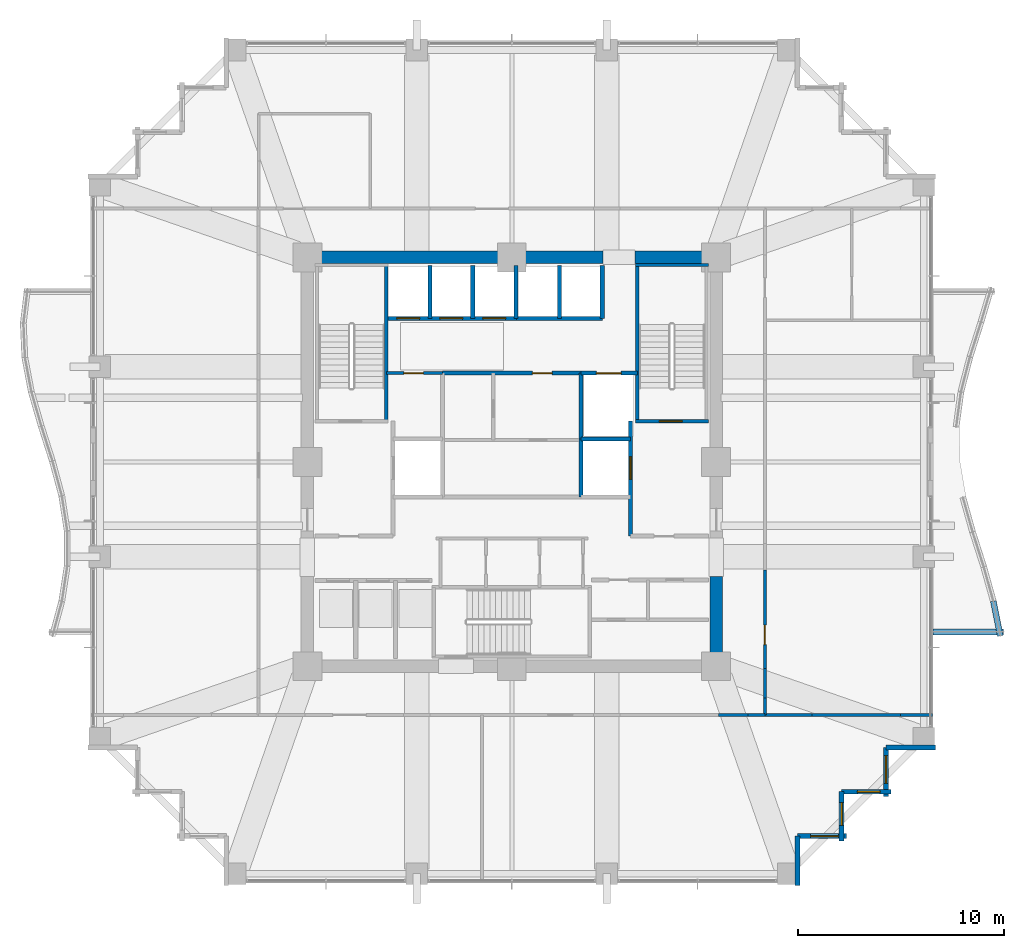
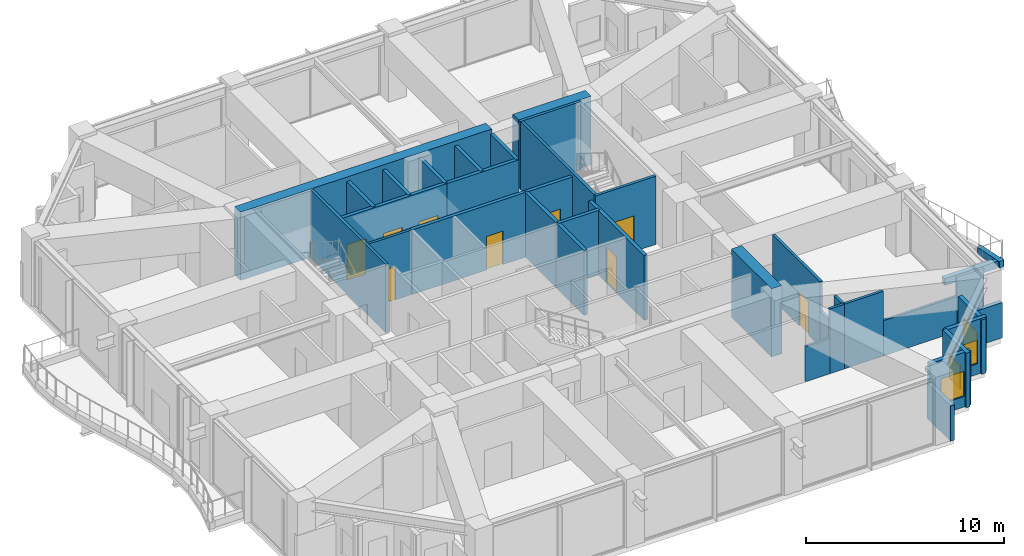
# One storey, part 35 of 40: 37 walls, 9 doors, 4 windows, 13 openings.
"""IFC4 building model written with IfcOpenShell, lengths in metres."""

from ifc_helpers import new_model, si_unit, direction, frame, frame_2d, origin, place, context, subcontext, project, spatial, rectangle, extrude, material, layer, layer_set, type_object, element, fill, save


model = new_model("IFC4")

# Units and contexts
model_context = context("Model", 3, precision=1e-05, world=origin(), true_north=direction((0.0, 1.0)))
body_context = subcontext(model_context, "Body", "Model", "MODEL_VIEW")
ifc_project = project(units=[si_unit("LENGTHUNIT", "METRE"), si_unit("AREAUNIT", "SQUARE_METRE"), si_unit("VOLUMEUNIT", "CUBIC_METRE"), si_unit("PLANEANGLEUNIT", "RADIAN"), si_unit("MASSUNIT", "GRAM", prefix="KILO")], contexts=[model_context])

# Site, building, storey
site_placement = place(None, origin())
site = spatial("IfcSite", under=ifc_project, at=site_placement, CompositionType="ELEMENT")
building_placement = place(site_placement, origin())
building = spatial("IfcBuilding", under=site, at=building_placement, Name="Kolvaren Belvedere", CompositionType="ELEMENT")
storey_placement = place(building_placement, frame((0.0, 0.0, 68.0)))
storey = spatial("IfcBuildingStorey", under=building, at=storey_placement, Name="L19", CompositionType="ELEMENT", Elevation=68.0)

# Walls
ifc_material_1 = material(Name="Concrete C60/75", Category="concrete")
ifc_layer_1 = layer(ifc_material_1, 0.60009765625)
ifc_layer_set_1 = layer_set([ifc_layer_1], Name="Concrete C60/75")
wall_type_1 = type_object("IfcWallType", Name="CW-CORE-600", PredefinedType="SHEAR", material=ifc_layer_set_1)
wall_1_placement = place(storey_placement, frame((-10.199951171875, 9.89990234375, 0.0), z_axis=(0.0, 0.0, 1.0), x_axis=(1.0, 0.0, 0.0)))
element("IfcWall", 1, at=wall_1_placement, inside=storey, type_object=wall_type_1, Name="L19 North Core Shear Wall 1", PredefinedType="SHEAR", context=body_context, shape_type="SweptSolid", body=[
    extrude(rectangle(XDim=14.619873046875, YDim=0.60009765625, at=frame_2d((7.31005859375, 0.0))), origin(), (0.0, 0.0, 1.0), 4.199951171875),
])
wall_2_placement = place(storey_placement, frame((5.97998046875, 9.89990234375, 0.0), z_axis=(0.0, 0.0, 1.0), x_axis=(1.0, 0.0, 0.0)))
element("IfcWall", 2, at=wall_2_placement, inside=storey, type_object=wall_type_1, Name="L19 North Core Shear Wall 2", PredefinedType="SHEAR", context=body_context, shape_type="SweptSolid", body=[
    extrude(rectangle(XDim=4.219970703125, YDim=0.60009765625, at=frame_2d((2.10986328125, 0.0))), origin(), (0.0, 0.0, 1.0), 4.199951171875),
])
wall_3_placement = place(storey_placement, frame((9.89990234375, -9.60009765625, 0.0), z_axis=(0.0, 0.0, 1.0), x_axis=(0.0, 1.0, 0.0)))
element("IfcWall", 3, at=wall_3_placement, inside=storey, type_object=wall_type_1, Name="L19 East Core Shear Wall 1", PredefinedType="SHEAR", context=body_context, shape_type="SweptSolid", body=[
    extrude(rectangle(XDim=4.050048828125, YDim=0.60009765625, at=frame_2d((2.02490234375, 0.0))), origin(), (0.0, 0.0, 1.0), 4.199951171875),
])
ifc_material_2 = material(Name="Concrete C50/60", Category="concrete")
ifc_layer_2 = layer(ifc_material_2, 0.159912109375)
ifc_layer_set_2 = layer_set([ifc_layer_2], Name="Concrete C50/60")
wall_type_2 = type_object("IfcWallType", Name="CW-STAIR-160", PredefinedType="SHEAR", material=ifc_layer_set_2)
wall_4_placement = place(storey_placement, frame((-6.080078125, 1.969970703125, 0.0), z_axis=(0.0, 0.0, 1.0), x_axis=(0.0, 1.0, 0.0)))
element("IfcWall", 4, at=wall_4_placement, inside=storey, type_object=wall_type_2, Name="L19 Stair ST-1 East Shear Wall", PredefinedType="SHEAR", context=body_context, shape_type="SweptSolid", body=[
    extrude(rectangle(XDim=7.56005859375, YDim=0.159912109375, at=frame_2d((3.780029296875, 0.0))), origin(), (0.0, 0.0, 1.0), 4.199951171875),
])

# Wall, opening, door
wall_5_placement = place(storey_placement, frame((6.0, 1.969970703125, 0.0), z_axis=(0.0, 0.0, 1.0), x_axis=(1.0, 0.0, 0.0)))
wall_5 = element("IfcWall", 5, at=wall_5_placement, inside=storey, type_object=wall_type_2, Name="L19 Stair ST-2 South Shear Wall", PredefinedType="SHEAR", context=body_context, shape_type="SweptSolid", body=[
    extrude(rectangle(XDim=3.52001953125, YDim=0.159912109375, at=frame_2d((1.760009765625, 0.0))), origin(), (0.0, 0.0, 1.0), 4.199951171875),
])
opening_1_placement = place(wall_5_placement, frame((1.14990234375, 0.0, 0.0)))
opening_1 = element("IfcOpeningElement", 6, at=opening_1_placement, cuts=wall_5, Name="Opening D-FD90", PredefinedType="OPENING", context=body_context, shape_type="SweptSolid", body=[
    extrude(rectangle(XDim=1.10009765625, YDim=2.199951171875, at=frame_2d((0.550048828125, 1.10009765625))), frame((0.0, 0.08984375, 0.0), z_axis=(0.0, -1.0, 0.0), x_axis=(1.0, 0.0, 0.0)), (0.0, 0.0, 1.0), 0.179931640625),
])
ifc_material_3 = material(Name="Painted hollow stainless steel", Category="steel")
door_type_1 = type_object("IfcDoorType", Name="DR-FD90-1100", OperationType="NOTDEFINED", PredefinedType="DOOR", material=ifc_material_3)
door_1_placement = place(opening_1_placement, origin())
door_1 = element("IfcDoor", 7, at=door_1_placement, inside=storey, type_object=door_type_1, Name="L19 Stair ST-2 Fire Door", OperationType="SINGLE_SWING_RIGHT", OverallHeight=2.199951171875, OverallWidth=1.10009765625, PredefinedType="DOOR", context=body_context, shape_type="SweptSolid", body=[
    extrude(rectangle(XDim=1.10009765625, YDim=2.199951171875, at=frame_2d((0.550048828125, 1.10009765625))), frame((0.0, 0.02490234375, 0.0), z_axis=(0.0, -1.0, 0.0), x_axis=(1.0, 0.0, 0.0)), (0.0, 0.0, 1.0), 0.050048828125),
])
fill(opening_1, door_1)

# Walls
wall_6_placement = place(storey_placement, frame((6.0, 9.530029296875, 0.0), z_axis=(0.0, 0.0, 1.0), x_axis=(1.0, 0.0, 0.0)))
element("IfcWall", 8, at=wall_6_placement, inside=storey, type_object=wall_type_2, Name="L19 Stair ST-2 North Shear Wall", PredefinedType="SHEAR", context=body_context, shape_type="SweptSolid", body=[
    extrude(rectangle(XDim=3.52001953125, YDim=0.159912109375, at=frame_2d((1.760009765625, 0.0))), origin(), (0.0, 0.0, 1.0), 4.199951171875),
])
wall_7_placement = place(storey_placement, frame((6.080078125, 1.969970703125, 0.0), z_axis=(0.0, 0.0, 1.0), x_axis=(0.0, 1.0, 0.0)))
element("IfcWall", 9, at=wall_7_placement, inside=storey, type_object=wall_type_2, Name="L19 Stair ST-2 West Shear Wall", PredefinedType="SHEAR", context=body_context, shape_type="SweptSolid", body=[
    extrude(rectangle(XDim=7.56005859375, YDim=0.159912109375, at=frame_2d((3.780029296875, 0.0))), origin(), (0.0, 0.0, 1.0), 4.199951171875),
])
ifc_material_4 = material(Name="Gypsum fire-rated partition assembly", Category="gypsum")
ifc_layer_3 = layer(ifc_material_4, 0.14990234375)
ifc_layer_set_3 = layer_set([ifc_layer_3], Name="Gypsum fire-rated partition assembly")
wall_type_3 = type_object("IfcWallType", Name="WL-CORR-150", PredefinedType="PARTITIONING", material=ifc_layer_set_3)
wall_8_placement = place(storey_placement, frame((10.013427734375, -12.260009765625, 0.0), z_axis=(0.0, 0.0, 1.0), x_axis=(1.0, 0.0, 0.0)))
element("IfcWall", 10, at=wall_8_placement, inside=storey, type_object=wall_type_3, Name="L19 South Corridor Wall", PredefinedType="PARTITIONING", context=body_context, shape_type="SweptSolid", body=[
    extrude(rectangle(XDim=1.416748046875, YDim=0.14990234375, at=frame_2d((0.70849609375, 0.0))), origin(), (0.0, 0.0, 1.0), 2.1650390625),
])
for number, where, z_axis, x_axis, name in (
    (11, (11.43017578125, -12.260009765625, 0.0), (0.0, 0.0, 1.0), (1.0, 0.0, 0.0), "L19 South Corridor Wall"),
    (12, (12.260009765625, -12.260009765625, 0.0), (0.0, 0.0, 1.0), (0.0, 1.0, 0.0), "L19 East Corridor Wall"),
):
    element("IfcWall", number, at=place(storey_placement, frame(where, z_axis=z_axis, x_axis=x_axis)), inside=storey, type_object=wall_type_3, Name=name, PredefinedType="PARTITIONING", context=body_context, shape_type="SweptSolid", body=[
        extrude(rectangle(XDim=0.829833984375, YDim=0.14990234375, at=frame_2d((0.4150390625, 0.0))), origin(), (0.0, 0.0, 1.0), 3.97998046875),
    ])
wall_9_placement = place(storey_placement, frame((12.260009765625, -11.43017578125, 0.0), z_axis=(0.0, 0.0, 1.0), x_axis=(0.0, 1.0, 0.0)))
element("IfcWall", 13, at=wall_9_placement, inside=storey, type_object=wall_type_3, Name="L19 East Corridor Wall", PredefinedType="PARTITIONING", context=body_context, shape_type="SweptSolid", body=[
    extrude(rectangle(XDim=1.416748046875, YDim=0.14990234375, at=frame_2d((0.70849609375, 0.0))), origin(), (0.0, 0.0, 1.0), 2.1650390625),
])

# Wall, opening, door
wall_10_placement = place(storey_placement, frame((12.260009765625, -10.013427734375, 0.0), z_axis=(0.0, 0.0, 1.0), x_axis=(0.0, 1.0, 0.0)))
wall_10 = element("IfcWall", 14, at=wall_10_placement, inside=storey, type_object=wall_type_3, Name="L19 East Corridor Wall", PredefinedType="PARTITIONING", context=body_context, shape_type="SweptSolid", body=[
    extrude(rectangle(XDim=4.771484375, YDim=0.14990234375, at=frame_2d((2.3857421875, 0.0))), origin(), (0.0, 0.0, 1.0), 3.97998046875),
])
opening_2_placement = place(wall_10_placement, frame((1.153564453125, 0.0, 0.0)))
opening_2 = element("IfcOpeningElement", 15, at=opening_2_placement, cuts=wall_10, Name="Opening D-FD60", PredefinedType="OPENING", context=body_context, shape_type="SweptSolid", body=[
    extrude(rectangle(XDim=0.949951171875, YDim=2.06005859375, at=frame_2d((0.47509765625, 1.030029296875))), frame((0.0, 0.0849609375, 0.0), z_axis=(0.0, -1.0, 0.0), x_axis=(1.0, 0.0, 0.0)), (0.0, 0.0, 1.0), 0.169921875),
])
ifc_material_5 = material(Name="Acoustic white-oak fire door leaf", Category="timber")
door_type_2 = type_object("IfcDoorType", Name="DR-FD60-950", OperationType="NOTDEFINED", PredefinedType="DOOR", material=ifc_material_5)
door_2_placement = place(opening_2_placement, origin())
door_2 = element("IfcDoor", 16, at=door_2_placement, inside=storey, type_object=door_type_2, Name="L19 Transfer Beverage Kitchen Door", OperationType="SINGLE_SWING_LEFT", OverallHeight=2.06005859375, OverallWidth=0.949951171875, PredefinedType="DOOR", context=body_context, shape_type="SweptSolid", body=[
    extrude(rectangle(XDim=0.949951171875, YDim=2.06005859375, at=frame_2d((0.47509765625, 1.030029296875))), frame((0.0, 0.02490234375, 0.0), z_axis=(0.0, -1.0, 0.0), x_axis=(1.0, 0.0, 0.0)), (0.0, 0.0, 1.0), 0.050048828125),
])
fill(opening_2, door_2)

# Walls
wall_11_placement = place(storey_placement, frame((12.260009765625, -12.260009765625, 0.0), z_axis=(0.0, 0.0, 1.0), x_axis=(1.0, 0.0, 0.0)))
element("IfcWall", 17, at=wall_11_placement, inside=storey, type_object=wall_type_3, Name="L19 Sector Wall PW-L19-QSE", PredefinedType="PARTITIONING", context=body_context, shape_type="SweptSolid", body=[
    extrude(rectangle(XDim=2.27587890625, YDim=0.14990234375, at=frame_2d((1.137939453125, 0.0))), origin(), (0.0, 0.0, 1.0), 3.97998046875),
])
wall_12_placement = place(storey_placement, frame((14.535888671875, -12.260009765625, 0.0), z_axis=(0.0, 0.0, 1.0), x_axis=(1.0, 0.0, 0.0)))
element("IfcWall", 18, at=wall_12_placement, inside=storey, type_object=wall_type_3, Name="L19 Sector Wall PW-L19-QSE", PredefinedType="PARTITIONING", context=body_context, shape_type="SweptSolid", body=[
    extrude(rectangle(XDim=4.281494140625, YDim=0.14990234375, at=frame_2d((2.140625, 0.0))), origin(), (0.0, 0.0, 1.0), 2.1650390625),
])
wall_13_placement = place(storey_placement, frame((18.8173828125, -12.260009765625, 0.0), z_axis=(0.0, 0.0, 1.0), x_axis=(1.0, 0.0, 0.0)))
element("IfcWall", 19, at=wall_13_placement, inside=storey, type_object=wall_type_3, Name="L19 Sector Wall PW-L19-QSE", PredefinedType="PARTITIONING", context=body_context, shape_type="SweptSolid", body=[
    extrude(rectangle(XDim=1.5625, YDim=0.14990234375, at=frame_2d((0.78125, 0.0))), origin(), (0.0, 0.0, 1.0), 3.34912109375),
])
ifc_material_6 = material(Name="Insulated pale-metal facade wall assembly", Category="aluminium")
ifc_layer_4 = layer(ifc_material_6, 0.239990234375)
ifc_layer_set_4 = layer_set([ifc_layer_4], Name="Insulated pale-metal facade wall assembly")
wall_type_4 = type_object("IfcWallType", Name="WL-EXT-240", PredefinedType="STANDARD", material=ifc_layer_set_4)
wall_14_placement = place(storey_placement, frame((13.830078125, -18.1298828125, 0.0), z_axis=(0.0, 0.0, 1.0), x_axis=(0.0, -1.0, 0.0)))
element("IfcWall", 20, at=wall_14_placement, inside=storey, type_object=wall_type_4, Name="L19 Serrated Corner Facade Wall 2", PredefinedType="STANDARD", context=body_context, shape_type="SweptSolid", body=[
    extrude(rectangle(XDim=2.39013671875, YDim=0.239990234375, at=frame_2d((1.195068359375, 0.0))), origin(), (0.0, 0.0, 1.0), 2.175048828125),
])

# Wall, opening, window
wall_15_placement = place(storey_placement, frame((16.219970703125, -18.1298828125, 0.0), z_axis=(0.0, 0.0, 1.0), x_axis=(-1.0, 0.0, 0.0)))
wall_15 = element("IfcWall", 21, at=wall_15_placement, inside=storey, type_object=wall_type_4, Name="L19 Serrated Corner Facade Wall 3", PredefinedType="STANDARD", context=body_context, shape_type="SweptSolid", body=[
    extrude(rectangle(XDim=2.389892578125, YDim=0.239990234375, at=frame_2d((1.19482421875, 0.0))), origin(), (0.0, 0.0, 1.0), 3.35888671875),
])
opening_3_placement = place(wall_15_placement, frame((0.39990234375, 0.0, 0.64990234375)))
opening_3 = element("IfcOpeningElement", 22, at=opening_3_placement, cuts=wall_15, Name="Opening W-1350", PredefinedType="OPENING", context=body_context, shape_type="SweptSolid", body=[
    extrude(rectangle(XDim=1.35009765625, YDim=1.550048828125, at=frame_2d((0.675048828125, 0.77490234375))), frame((0.0, 0.1298828125, 0.0), z_axis=(0.0, -1.0, 0.0), x_axis=(1.0, 0.0, 0.0)), (0.0, 0.0, 1.0), 0.260009765625),
])
ifc_material_7 = material(Name="Low-iron triple insulated glass", Category="glass")
window_type_1 = type_object("IfcWindowType", Name="WN-CORN-1350", PartitioningType="SINGLE_PANEL", PredefinedType="WINDOW", material=ifc_material_7)
window_1_placement = place(opening_3_placement, origin())
window_1 = element("IfcWindow", 23, at=window_1_placement, inside=storey, type_object=window_type_1, Name="L19 Serrated Corner Vision Window 3", OverallHeight=1.550048828125, OverallWidth=1.35009765625, PartitioningType="SINGLE_PANEL", PredefinedType="WINDOW", context=body_context, shape_type="SweptSolid", body=[
    extrude(rectangle(XDim=1.35009765625, YDim=1.550048828125, at=frame_2d((0.675048828125, 0.77490234375))), frame((0.0, 0.030029296875, 0.0), z_axis=(0.0, -1.0, 0.0), x_axis=(1.0, 0.0, 0.0)), (0.0, 0.0, 1.0), 0.06005859375),
])
fill(opening_3, window_1)

wall_16_placement = place(storey_placement, frame((15.97998046875, -15.97998046875, 0.0), z_axis=(0.0, 0.0, 1.0), x_axis=(0.0, -1.0, 0.0)))
wall_16 = element("IfcWall", 24, at=wall_16_placement, inside=storey, type_object=wall_type_4, Name="L19 Serrated Corner Facade Wall 4", PredefinedType="STANDARD", context=body_context, shape_type="SweptSolid", body=[
    extrude(rectangle(XDim=2.39013671875, YDim=0.239990234375, at=frame_2d((1.195068359375, 0.0))), origin(), (0.0, 0.0, 1.0), 3.35888671875),
])
opening_4_placement = place(wall_16_placement, frame((0.52490234375, 0.0, 0.64990234375)))
opening_4 = element("IfcOpeningElement", 25, at=opening_4_placement, cuts=wall_16, Name="Opening W-1100", PredefinedType="OPENING", context=body_context, shape_type="SweptSolid", body=[
    extrude(rectangle(XDim=1.10009765625, YDim=1.449951171875, at=frame_2d((0.550048828125, 0.72509765625))), frame((0.0, 0.1298828125, 0.0), z_axis=(0.0, -1.0, 0.0), x_axis=(1.0, 0.0, 0.0)), (0.0, 0.0, 1.0), 0.260009765625),
])
ifc_material_8 = material(Name="Low-iron triple insulated glass", Category="glass")
window_type_2 = type_object("IfcWindowType", Name="WN-CORN-1100", PartitioningType="SINGLE_PANEL", PredefinedType="WINDOW", material=ifc_material_8)
window_2_placement = place(opening_4_placement, origin())
window_2 = element("IfcWindow", 26, at=window_2_placement, inside=storey, type_object=window_type_2, Name="L19 Serrated Corner Vision Window 4", OverallHeight=1.449951171875, OverallWidth=1.10009765625, PartitioningType="SINGLE_PANEL", PredefinedType="WINDOW", context=body_context, shape_type="SweptSolid", body=[
    extrude(rectangle(XDim=1.10009765625, YDim=1.449951171875, at=frame_2d((0.550048828125, 0.72509765625))), frame((0.0, 0.030029296875, 0.0), z_axis=(0.0, -1.0, 0.0), x_axis=(1.0, 0.0, 0.0)), (0.0, 0.0, 1.0), 0.06005859375),
])
fill(opening_4, window_2)

wall_17_placement = place(storey_placement, frame((18.3701171875, -15.97998046875, 0.0), z_axis=(0.0, 0.0, 1.0), x_axis=(-1.0, 0.0, 0.0)))
wall_17 = element("IfcWall", 27, at=wall_17_placement, inside=storey, type_object=wall_type_4, Name="L19 Serrated Corner Facade Wall 5", PredefinedType="STANDARD", context=body_context, shape_type="SweptSolid", body=[
    extrude(rectangle(XDim=2.39013671875, YDim=0.239990234375, at=frame_2d((1.195068359375, 0.0))), origin(), (0.0, 0.0, 1.0), 3.35888671875),
])
opening_5_placement = place(wall_17_placement, frame((0.52490234375, 0.0, 0.64990234375)))
opening_5 = element("IfcOpeningElement", 28, at=opening_5_placement, cuts=wall_17, Name="Opening W-1100", PredefinedType="OPENING", context=body_context, shape_type="SweptSolid", body=[
    extrude(rectangle(XDim=1.10009765625, YDim=1.449951171875, at=frame_2d((0.550048828125, 0.72509765625))), frame((0.0, 0.1298828125, 0.0), z_axis=(0.0, -1.0, 0.0), x_axis=(1.0, 0.0, 0.0)), (0.0, 0.0, 1.0), 0.260009765625),
])
window_3_placement = place(opening_5_placement, origin())
window_3 = element("IfcWindow", 29, at=window_3_placement, inside=storey, type_object=window_type_2, Name="L19 Serrated Corner Vision Window 5", OverallHeight=1.449951171875, OverallWidth=1.10009765625, PartitioningType="SINGLE_PANEL", PredefinedType="WINDOW", context=body_context, shape_type="SweptSolid", body=[
    extrude(rectangle(XDim=1.10009765625, YDim=1.449951171875, at=frame_2d((0.550048828125, 0.72509765625))), frame((0.0, 0.030029296875, 0.0), z_axis=(0.0, -1.0, 0.0), x_axis=(1.0, 0.0, 0.0)), (0.0, 0.0, 1.0), 0.06005859375),
])
fill(opening_5, window_3)

wall_18_placement = place(storey_placement, frame((18.1298828125, -13.830078125, 0.0), z_axis=(0.0, 0.0, 1.0), x_axis=(0.0, -1.0, 0.0)))
wall_18 = element("IfcWall", 30, at=wall_18_placement, inside=storey, type_object=wall_type_4, Name="L19 Serrated Corner Facade Wall 6", PredefinedType="STANDARD", context=body_context, shape_type="SweptSolid", body=[
    extrude(rectangle(XDim=2.389892578125, YDim=0.239990234375, at=frame_2d((1.19482421875, 0.0))), origin(), (0.0, 0.0, 1.0), 3.35888671875),
])
opening_6_placement = place(wall_18_placement, frame((0.39990234375, 0.0, 0.64990234375)))
opening_6 = element("IfcOpeningElement", 31, at=opening_6_placement, cuts=wall_18, Name="Opening W-1350", PredefinedType="OPENING", context=body_context, shape_type="SweptSolid", body=[
    extrude(rectangle(XDim=1.35009765625, YDim=1.550048828125, at=frame_2d((0.675048828125, 0.77490234375))), frame((0.0, 0.1298828125, 0.0), z_axis=(0.0, -1.0, 0.0), x_axis=(1.0, 0.0, 0.0)), (0.0, 0.0, 1.0), 0.260009765625),
])
window_4_placement = place(opening_6_placement, origin())
window_4 = element("IfcWindow", 32, at=window_4_placement, inside=storey, type_object=window_type_1, Name="L19 Serrated Corner Vision Window 6", OverallHeight=1.550048828125, OverallWidth=1.35009765625, PartitioningType="SINGLE_PANEL", PredefinedType="WINDOW", context=body_context, shape_type="SweptSolid", body=[
    extrude(rectangle(XDim=1.35009765625, YDim=1.550048828125, at=frame_2d((0.675048828125, 0.77490234375))), frame((0.0, 0.030029296875, 0.0), z_axis=(0.0, -1.0, 0.0), x_axis=(1.0, 0.0, 0.0)), (0.0, 0.0, 1.0), 0.06005859375),
])
fill(opening_6, window_4)

# Wall
wall_19_placement = place(storey_placement, frame((20.52001953125, -13.830078125, 0.0), z_axis=(0.0, 0.0, 1.0), x_axis=(-1.0, 0.0, 0.0)))
element("IfcWall", 33, at=wall_19_placement, inside=storey, type_object=wall_type_4, Name="L19 Serrated Corner Facade Wall 7", PredefinedType="STANDARD", context=body_context, shape_type="SweptSolid", body=[
    extrude(rectangle(XDim=2.39013671875, YDim=0.239990234375, at=frame_2d((1.195068359375, 0.0))), origin(), (0.0, 0.0, 1.0), 2.175048828125),
])

# Wall, opening, door
ifc_material_9 = material(Name="Gypsum acoustic partition assembly", Category="gypsum")
ifc_layer_5 = layer(ifc_material_9, 0.14990234375)
ifc_layer_set_5 = layer_set([ifc_layer_5], Name="Gypsum acoustic partition assembly")
wall_type_5 = type_object("IfcWallType", Name="WL-PART-150", PredefinedType="PARTITIONING", material=ifc_layer_set_5)
wall_20_placement = place(storey_placement, frame((-6.080078125, 4.300048828125, 0.0), z_axis=(0.0, 0.0, 1.0), x_axis=(1.0, 0.0, 0.0)))
wall_20 = element("IfcWall", 34, at=wall_20_placement, inside=storey, type_object=wall_type_5, Name="L19 NW Service Room North Wall", PredefinedType="PARTITIONING", context=body_context, shape_type="SweptSolid", body=[
    extrude(rectangle(XDim=2.72998046875, YDim=0.14990234375, at=frame_2d((1.364990234375, 0.0))), origin(), (0.0, 0.0, 1.0), 3.97998046875),
])
opening_7_placement = place(wall_20_placement, frame((0.85009765625, 0.0, 0.0)))
opening_7 = element("IfcOpeningElement", 35, at=opening_7_placement, cuts=wall_20, Name="Opening D-FD60", PredefinedType="OPENING", context=body_context, shape_type="SweptSolid", body=[
    extrude(rectangle(XDim=0.949951171875, YDim=2.06005859375, at=frame_2d((0.47509765625, 1.030029296875))), frame((0.0, 0.0849609375, 0.0), z_axis=(0.0, -1.0, 0.0), x_axis=(1.0, 0.0, 0.0)), (0.0, 0.0, 1.0), 0.169921875),
])
door_3_placement = place(opening_7_placement, origin())
door_3 = element("IfcDoor", 36, at=door_3_placement, inside=storey, type_object=door_type_2, Name="L19 NW Core Store Door", OperationType="SINGLE_SWING_RIGHT", OverallHeight=2.06005859375, OverallWidth=0.949951171875, PredefinedType="DOOR", context=body_context, shape_type="SweptSolid", body=[
    extrude(rectangle(XDim=0.949951171875, YDim=2.06005859375, at=frame_2d((0.47509765625, 1.030029296875))), frame((0.0, 0.02490234375, 0.0), z_axis=(0.0, -1.0, 0.0), x_axis=(1.0, 0.0, 0.0)), (0.0, 0.0, 1.0), 0.050048828125),
])
fill(opening_7, door_3)

# Walls
ifc_material_10 = material(Name="Precast concrete C40/50", Category="concrete")
ifc_layer_6 = layer(ifc_material_10, 0.300048828125)
ifc_layer_set_6 = layer_set([ifc_layer_6], Name="Precast concrete C40/50")
wall_type_6 = type_object("IfcWallType", Name="WL-PLANTER-300", PredefinedType="PARAPET", material=ifc_layer_set_6)
wall_21_placement = place(storey_placement, frame((23.6630859375, -8.431884765625, -0.1201171875), z_axis=(0.0, 0.0, 1.0), x_axis=(-0.198662427795, 0.980067977123, 0.0)))
element("IfcWall", 37, at=wall_21_placement, inside=storey, type_object=wall_type_6, Name="L19 Precast Structural Planter Wall BAL-E-1", PredefinedType="PARAPET", context=body_context, shape_type="SweptSolid", body=[
    extrude(rectangle(XDim=1.71435546875, YDim=0.280029296875, at=frame_2d((0.857177734375, 0.0))), origin(), (0.0, 0.0, 1.0), 0.420166015625),
])
wall_22_placement = place(storey_placement, frame((20.39990234375, -8.239990234375, -0.1201171875), z_axis=(0.0, 0.0, 1.0), x_axis=(1.0, 0.0, 0.0)))
element("IfcWall", 38, at=wall_22_placement, inside=storey, type_object=wall_type_6, Name="L19 Precast Structural Planter Wall BAL-E-22", PredefinedType="PARAPET", context=body_context, shape_type="SweptSolid", body=[
    extrude(rectangle(XDim=3.420166015625, YDim=0.280029296875, at=frame_2d((1.7099609375, 0.0))), origin(), (0.0, 0.0, 1.0), 0.420166015625),
])

# Wall, opening, door
ifc_material_11 = material(Name="Concrete C50/60", Category="concrete")
ifc_layer_7 = layer(ifc_material_11, 0.199951171875)
ifc_layer_set_7 = layer_set([ifc_layer_7], Name="Concrete C50/60")
wall_type_7 = type_object("IfcWallType", Name="WL-SHAFT-200", PredefinedType="SOLIDWALL", material=ifc_layer_set_7)
wall_23_placement = place(storey_placement, frame((5.75, -3.60009765625, 0.0), z_axis=(0.0, 0.0, 1.0), x_axis=(0.0, 1.0, 0.0)))
wall_23 = element("IfcWall", 39, at=wall_23_placement, inside=storey, type_object=wall_type_7, Name="L19 FSAE FS2 Landing Wall", PredefinedType="SOLIDWALL", context=body_context, shape_type="SweptSolid", body=[
    extrude(rectangle(XDim=5.570068359375, YDim=0.199951171875, at=frame_2d((2.78515625, 0.0))), origin(), (0.0, 0.0, 1.0), 3.97998046875),
])
opening_8_placement = place(wall_23_placement, frame((2.75, 0.0, 0.0)))
opening_8 = element("IfcOpeningElement", 40, at=opening_8_placement, cuts=wall_23, Name="Opening LD-11", PredefinedType="OPENING", context=body_context, shape_type="SweptSolid", body=[
    extrude(rectangle(XDim=1.10009765625, YDim=2.199951171875, at=frame_2d((0.550048828125, 1.10009765625))), frame((0.0, 0.10986328125, 0.0), z_axis=(0.0, -1.0, 0.0), x_axis=(1.0, 0.0, 0.0)), (0.0, 0.0, 1.0), 0.219970703125),
])
ifc_material_12 = material(Name="Brushed stainless steel", Category="steel")
door_type_3 = type_object("IfcDoorType", Name="DR-LIFT-1100", OperationType="DOUBLE_DOOR_SLIDING", PredefinedType="DOOR", material=ifc_material_12)
door_4_placement = place(opening_8_placement, origin())
door_4 = element("IfcDoor", 41, at=door_4_placement, inside=storey, type_object=door_type_3, Name="L19 Firefighting Lift FS2 Landing Door", OperationType="DOUBLE_DOOR_SLIDING", OverallHeight=2.199951171875, OverallWidth=1.10009765625, PredefinedType="DOOR", context=body_context, shape_type="SweptSolid", body=[
    extrude(rectangle(XDim=1.10009765625, YDim=2.199951171875, at=frame_2d((0.550048828125, 1.10009765625))), frame((0.0, 0.02490234375, 0.0), z_axis=(0.0, -1.0, 0.0), x_axis=(1.0, 0.0, 0.0)), (0.0, 0.0, 1.0), 0.050048828125),
])
fill(opening_8, door_4)

# Walls
wall_24_placement = place(storey_placement, frame((3.35009765625, -1.699951171875, 0.0), z_axis=(0.0, 0.0, 1.0), x_axis=(0.0, 1.0, 0.0)))
element("IfcWall", 42, at=wall_24_placement, inside=storey, type_object=wall_type_7, Name="L19 FSAE FS2 Back Wall", PredefinedType="SOLIDWALL", context=body_context, shape_type="SweptSolid", body=[
    extrude(rectangle(XDim=2.800048828125, YDim=0.199951171875, at=frame_2d((1.39990234375, 0.0))), origin(), (0.0, 0.0, 1.0), 3.97998046875),
])
wall_25_placement = place(storey_placement, frame((3.35009765625, 1.10009765625, 0.0), z_axis=(0.0, 0.0, 1.0), x_axis=(1.0, 0.0, 0.0)))
element("IfcWall", 43, at=wall_25_placement, inside=storey, type_object=wall_type_7, Name="L19 FSAE FS2 North Wall", PredefinedType="SOLIDWALL", context=body_context, shape_type="SweptSolid", body=[
    extrude(rectangle(XDim=2.39990234375, YDim=0.199951171875, at=frame_2d((1.199951171875, 0.0))), origin(), (0.0, 0.0, 1.0), 3.97998046875),
])

# Wall, opening, door
wall_26_placement = place(storey_placement, frame((3.35009765625, 4.300048828125, 0.0), z_axis=(0.0, 0.0, 1.0), x_axis=(1.0, 0.0, 0.0)))
wall_26 = element("IfcWall", 44, at=wall_26_placement, inside=storey, type_object=wall_type_7, Name="L19 Service Lift SV1 Front Wall", PredefinedType="SOLIDWALL", context=body_context, shape_type="SweptSolid", body=[
    extrude(rectangle(XDim=2.72998046875, YDim=0.199951171875, at=frame_2d((1.364990234375, 0.0))), origin(), (0.0, 0.0, 1.0), 3.97998046875),
])
opening_9_placement = place(wall_26_placement, frame((0.75, 0.0, 0.0)))
opening_9 = element("IfcOpeningElement", 45, at=opening_9_placement, cuts=wall_26, Name="Opening LD-12", PredefinedType="OPENING", context=body_context, shape_type="SweptSolid", body=[
    extrude(rectangle(XDim=1.199951171875, YDim=2.25, at=frame_2d((0.60009765625, 1.125))), frame((0.0, 0.10986328125, 0.0), z_axis=(0.0, -1.0, 0.0), x_axis=(1.0, 0.0, 0.0)), (0.0, 0.0, 1.0), 0.219970703125),
])
ifc_material_13 = material(Name="Brushed stainless steel", Category="steel")
door_type_4 = type_object("IfcDoorType", Name="DR-LIFT-1200", OperationType="DOUBLE_DOOR_SLIDING", PredefinedType="DOOR", material=ifc_material_13)
door_5_placement = place(opening_9_placement, origin())
door_5 = element("IfcDoor", 46, at=door_5_placement, inside=storey, type_object=door_type_4, Name="L19 Service Lift SV1 Landing Door", OperationType="DOUBLE_DOOR_SLIDING", OverallHeight=2.25, OverallWidth=1.199951171875, PredefinedType="DOOR", context=body_context, shape_type="SweptSolid", body=[
    extrude(rectangle(XDim=1.199951171875, YDim=2.25, at=frame_2d((0.60009765625, 1.125))), frame((0.0, 0.02490234375, 0.0), z_axis=(0.0, -1.0, 0.0), x_axis=(1.0, 0.0, 0.0)), (0.0, 0.0, 1.0), 0.050048828125),
])
fill(opening_9, door_5)

# Wall, openings, doors
wall_27_placement = place(storey_placement, frame((-6.080078125, 6.949951171875, 0.0), z_axis=(0.0, 0.0, 1.0), x_axis=(1.0, 0.0, 0.0)))
wall_27 = element("IfcWall", 47, at=wall_27_placement, inside=storey, type_object=wall_type_7, Name="L19 Low-Rise Lift Bank Front Wall", PredefinedType="SOLIDWALL", context=body_context, shape_type="SweptSolid", body=[
    extrude(rectangle(XDim=6.300048828125, YDim=0.199951171875, at=frame_2d((3.14990234375, 0.0))), origin(), (0.0, 0.0, 1.0), 3.97998046875),
])
opening_10_placement = place(wall_27_placement, frame((0.52001953125, 0.0, 0.0)))
opening_10 = element("IfcOpeningElement", 48, at=opening_10_placement, cuts=wall_27, Name="Opening LD-11", PredefinedType="OPENING", context=body_context, shape_type="SweptSolid", body=[
    extrude(rectangle(XDim=1.10009765625, YDim=2.199951171875, at=frame_2d((0.550048828125, 1.10009765625))), frame((0.0, 0.10986328125, 0.0), z_axis=(0.0, -1.0, 0.0), x_axis=(1.0, 0.0, 0.0)), (0.0, 0.0, 1.0), 0.219970703125),
])
opening_11_placement = place(wall_27_placement, frame((2.60009765625, 0.0, 0.0)))
opening_11 = element("IfcOpeningElement", 49, at=opening_11_placement, cuts=wall_27, Name="Opening LD-11", PredefinedType="OPENING", context=body_context, shape_type="SweptSolid", body=[
    extrude(rectangle(XDim=1.10009765625, YDim=2.199951171875, at=frame_2d((0.550048828125, 1.10009765625))), frame((0.0, 0.10986328125, 0.0), z_axis=(0.0, -1.0, 0.0), x_axis=(1.0, 0.0, 0.0)), (0.0, 0.0, 1.0), 0.219970703125),
])
opening_12_placement = place(wall_27_placement, frame((4.679931640625, 0.0, 0.0)))
opening_12 = element("IfcOpeningElement", 50, at=opening_12_placement, cuts=wall_27, Name="Opening LD-11", PredefinedType="OPENING", context=body_context, shape_type="SweptSolid", body=[
    extrude(rectangle(XDim=1.10009765625, YDim=2.199951171875, at=frame_2d((0.550048828125, 1.10009765625))), frame((0.0, 0.10986328125, 0.0), z_axis=(0.0, -1.0, 0.0), x_axis=(1.0, 0.0, 0.0)), (0.0, 0.0, 1.0), 0.219970703125),
])
door_6_placement = place(opening_10_placement, origin())
door_6 = element("IfcDoor", 51, at=door_6_placement, inside=storey, type_object=door_type_3, Name="L19 Passenger Lift P1 Landing Door", OperationType="DOUBLE_DOOR_SLIDING", OverallHeight=2.199951171875, OverallWidth=1.10009765625, PredefinedType="DOOR", context=body_context, shape_type="SweptSolid", body=[
    extrude(rectangle(XDim=1.10009765625, YDim=2.199951171875, at=frame_2d((0.550048828125, 1.10009765625))), frame((0.0, 0.02490234375, 0.0), z_axis=(0.0, -1.0, 0.0), x_axis=(1.0, 0.0, 0.0)), (0.0, 0.0, 1.0), 0.050048828125),
])
fill(opening_10, door_6)
door_7_placement = place(opening_11_placement, origin())
door_7 = element("IfcDoor", 52, at=door_7_placement, inside=storey, type_object=door_type_3, Name="L19 Passenger Lift P2 Landing Door", OperationType="DOUBLE_DOOR_SLIDING", OverallHeight=2.199951171875, OverallWidth=1.10009765625, PredefinedType="DOOR", context=body_context, shape_type="SweptSolid", body=[
    extrude(rectangle(XDim=1.10009765625, YDim=2.199951171875, at=frame_2d((0.550048828125, 1.10009765625))), frame((0.0, 0.02490234375, 0.0), z_axis=(0.0, -1.0, 0.0), x_axis=(1.0, 0.0, 0.0)), (0.0, 0.0, 1.0), 0.050048828125),
])
fill(opening_11, door_7)
door_8_placement = place(opening_12_placement, origin())
door_8 = element("IfcDoor", 53, at=door_8_placement, inside=storey, type_object=door_type_3, Name="L19 Passenger Lift P3 Landing Door", OperationType="DOUBLE_DOOR_SLIDING", OverallHeight=2.199951171875, OverallWidth=1.10009765625, PredefinedType="DOOR", context=body_context, shape_type="SweptSolid", body=[
    extrude(rectangle(XDim=1.10009765625, YDim=2.199951171875, at=frame_2d((0.550048828125, 1.10009765625))), frame((0.0, 0.02490234375, 0.0), z_axis=(0.0, -1.0, 0.0), x_axis=(1.0, 0.0, 0.0)), (0.0, 0.0, 1.0), 0.050048828125),
])
fill(opening_12, door_8)

# Walls
for number, where, z_axis, x_axis, name in (
    (54, (-3.969970703125, 6.949951171875, 0.0), (0.0, 0.0, 1.0), (0.0, 1.0, 0.0), "L19 Low-Rise Hoistway Divider 1"),
    (55, (-1.889892578125, 6.949951171875, 0.0), (0.0, 0.0, 1.0), (0.0, 1.0, 0.0), "L19 Low-Rise Hoistway Divider 2"),
    (56, (0.2099609375, 6.949951171875, 0.0), (0.0, 0.0, 1.0), (0.0, 1.0, 0.0), "L19 Low-Rise Hoistway Divider 3"),
):
    element("IfcWall", number, at=place(storey_placement, frame(where, z_axis=z_axis, x_axis=x_axis)), inside=storey, type_object=wall_type_7, Name=name, PredefinedType="SOLIDWALL", context=body_context, shape_type="SweptSolid", body=[
        extrude(rectangle(XDim=2.570068359375, YDim=0.199951171875, at=frame_2d((1.28515625, 0.0))), origin(), (0.0, 0.0, 1.0), 3.97998046875),
    ])
wall_28_placement = place(storey_placement, frame((0.219970703125, 6.949951171875, 0.0), z_axis=(0.0, 0.0, 1.0), x_axis=(1.0, 0.0, 0.0)))
element("IfcWall", 57, at=wall_28_placement, inside=storey, type_object=wall_type_7, Name="L19 Express Shuttle Hoistway Wall", PredefinedType="SOLIDWALL", context=body_context, shape_type="SweptSolid", body=[
    extrude(rectangle(XDim=4.179931640625, YDim=0.199951171875, at=frame_2d((2.08984375, 0.0))), origin(), (0.0, 0.0, 1.0), 3.97998046875),
])
for number, where, z_axis, x_axis, name in (
    (58, (4.3798828125, 6.949951171875, 0.0), (0.0, 0.0, 1.0), (0.0, 1.0, 0.0), "L19 Express Shuttle East Wall"),
    (59, (2.31005859375, 6.949951171875, 0.0), (0.0, 0.0, 1.0), (0.0, 1.0, 0.0), "L19 Express Shuttle Divider"),
):
    element("IfcWall", number, at=place(storey_placement, frame(where, z_axis=z_axis, x_axis=x_axis)), inside=storey, type_object=wall_type_7, Name=name, PredefinedType="SOLIDWALL", context=body_context, shape_type="SweptSolid", body=[
        extrude(rectangle(XDim=2.570068359375, YDim=0.199951171875, at=frame_2d((1.28515625, 0.0))), origin(), (0.0, 0.0, 1.0), 3.97998046875),
    ])

# Wall, opening, door
wall_29_placement = place(storey_placement, frame((-3.35009765625, 4.300048828125, 0.0), z_axis=(0.0, 0.0, 1.0), x_axis=(1.0, 0.0, 0.0)))
wall_29 = element("IfcWall", 60, at=wall_29_placement, inside=storey, type_object=wall_type_7, Name="L19 Central Core Room North Wall", PredefinedType="SOLIDWALL", context=body_context, shape_type="SweptSolid", body=[
    extrude(rectangle(XDim=6.7001953125, YDim=0.199951171875, at=frame_2d((3.35009765625, 0.0))), origin(), (0.0, 0.0, 1.0), 3.97998046875),
])
opening_13_placement = place(wall_29_placement, frame((4.35009765625, 0.0, 0.0)))
opening_13 = element("IfcOpeningElement", 61, at=opening_13_placement, cuts=wall_29, Name="Opening D-FD60", PredefinedType="OPENING", context=body_context, shape_type="SweptSolid", body=[
    extrude(rectangle(XDim=0.949951171875, YDim=2.06005859375, at=frame_2d((0.47509765625, 1.030029296875))), frame((0.0, 0.10986328125, 0.0), z_axis=(0.0, -1.0, 0.0), x_axis=(1.0, 0.0, 0.0)), (0.0, 0.0, 1.0), 0.219970703125),
])
door_9_placement = place(opening_13_placement, origin())
door_9 = element("IfcDoor", 62, at=door_9_placement, inside=storey, type_object=door_type_2, Name="L19 Central Core Controls Door", OperationType="SINGLE_SWING_LEFT", OverallHeight=2.06005859375, OverallWidth=0.949951171875, PredefinedType="DOOR", context=body_context, shape_type="SweptSolid", body=[
    extrude(rectangle(XDim=0.949951171875, YDim=2.06005859375, at=frame_2d((0.47509765625, 1.030029296875))), frame((0.0, 0.02490234375, 0.0), z_axis=(0.0, -1.0, 0.0), x_axis=(1.0, 0.0, 0.0)), (0.0, 0.0, 1.0), 0.050048828125),
])
fill(opening_13, door_9)

# Wall
wall_30_placement = place(storey_placement, frame((3.35009765625, 1.10009765625, 0.0), z_axis=(0.0, 0.0, 1.0), x_axis=(0.0, 1.0, 0.0)))
element("IfcWall", 63, at=wall_30_placement, inside=storey, type_object=wall_type_7, Name="L19 Central Core Room East Wall", PredefinedType="SOLIDWALL", context=body_context, shape_type="SweptSolid", body=[
    extrude(rectangle(XDim=3.199951171875, YDim=0.199951171875, at=frame_2d((1.60009765625, 0.0))), origin(), (0.0, 0.0, 1.0), 3.97998046875),
])

save(model, "model.ifc")
